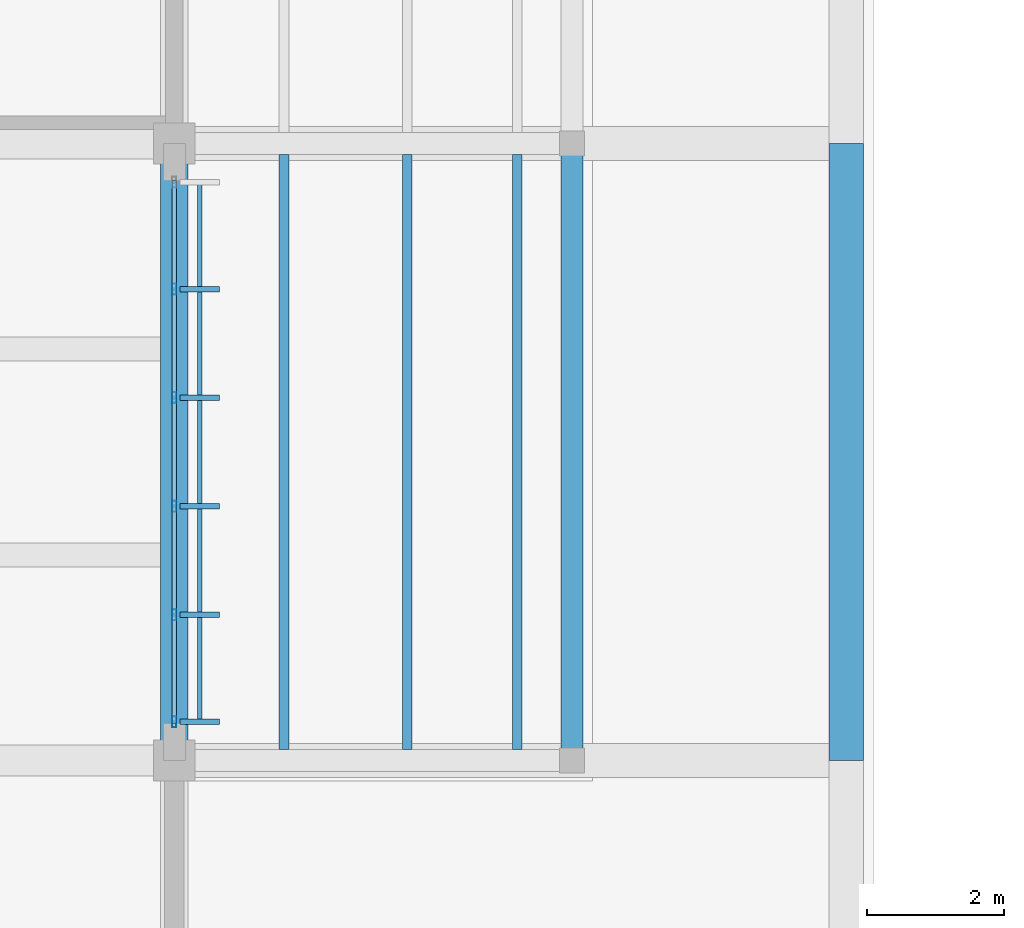
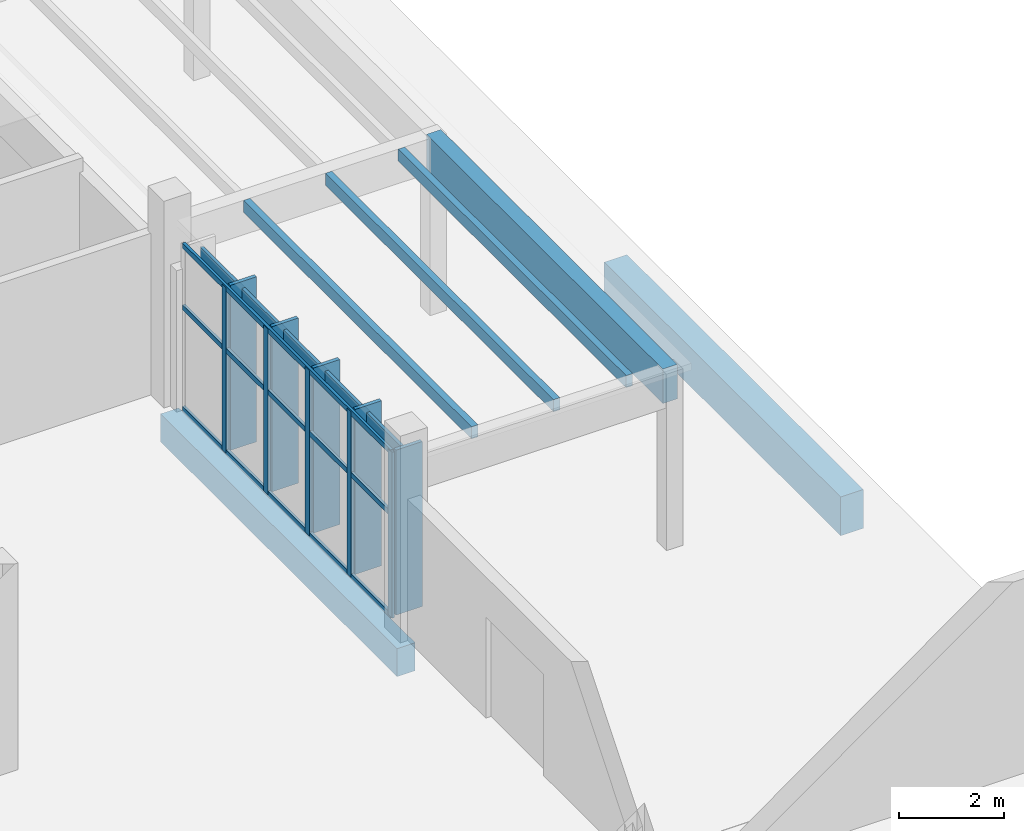
# One storey, part 88 of 151: 17 members, 3 beams, 1 element without a shape of its own.
"""IFC4 building model written with IfcOpenShell, lengths in metres."""

from ifc_helpers import new_model, si_unit, direction, frame, origin, origin_2d, place, context, subcontext, project, spatial, rectangle, hollow_rectangle, extrude, material, material_profile, profile_set, type_object, element, aggregate, save


model = new_model("IFC4")

# Units and contexts
model_context = context("Model", 3, precision=1e-05, world=origin(), true_north=direction((0.0, 1.0)))
body_context = subcontext(model_context, "Body", "Model", "MODEL_VIEW")
ifc_project = project(units=[si_unit("LENGTHUNIT", "METRE"), si_unit("AREAUNIT", "SQUARE_METRE"), si_unit("VOLUMEUNIT", "CUBIC_METRE"), si_unit("PLANEANGLEUNIT", "RADIAN"), si_unit("MASSUNIT", "GRAM", prefix="KILO")], contexts=[model_context])

# Site, building, storey
site_placement = place(None, origin())
site = spatial("IfcSite", under=ifc_project, at=site_placement, CompositionType="ELEMENT")
building_placement = place(site_placement, origin())
building = spatial("IfcBuilding", under=site, at=building_placement, Name="Chiffa Square Polytechnic", CompositionType="ELEMENT")
storey_placement = place(building_placement, origin())
storey = spatial("IfcBuildingStorey", under=building, at=storey_placement, Name="L00", CompositionType="ELEMENT", Elevation=0.0)

# Beam
ifc_material_1 = material(Name="Concrete C35/45", Category="concrete")
ifc_material_profile_1 = material_profile(ifc_material_1, rectangle(XDim=0.39990234375, YDim=0.64990234375, at=origin_2d()), Name="RC 400x650")
ifc_profile_set_1 = profile_set([ifc_material_profile_1], Name="Concrete C35/45")
beam_type_1 = type_object("IfcBeamType", Name="BM-RC-400X650", PredefinedType="BEAM", material=ifc_profile_set_1)
beam_1_placement = place(storey_placement, frame((148.199951171875, 103.800048828125, -0.675048828125), z_axis=(0.0, 1.0, 0.0), x_axis=(-1.0, 0.0, 0.0)))
element("IfcBeam", 1, at=beam_1_placement, inside=storey, type_object=beam_type_1, Name="Primary floor girder BM-V5-L00-Y-1482-1038", PredefinedType="BEAM", context=body_context, shape_type="SweptSolid", body=[
    extrude(rectangle(XDim=0.39990234375, YDim=0.64990234375, at=origin_2d()), origin(), (0.0, 0.0, 1.0), 9.0),
])

# Curtain wall, members
ifc_material_2 = material(Name="Aluminium EN AW-6060 T66 and glulam shading", Category="wood")
curtain_wall_type = type_object("IfcCurtainWallType", Name="CW-VERT-480X380", PredefinedType="USERDEFINED", material=ifc_material_2)
curtain_wall_placement = place(storey_placement, origin())
curtain_wall = element("IfcCurtainWall", 2, at=curtain_wall_placement, inside=storey, type_object=curtain_wall_type, Name="Curtain wall CW-V5-L00-190", ObjectType="CURTAIN WALL", PredefinedType="USERDEFINED")
ifc_material_3 = material(Name="Aluminium EN AW-6060 T66", Category="aluminium")
ifc_material_profile_2 = material_profile(ifc_material_3, hollow_rectangle(XDim=0.06005859375, YDim=0.159912109375, WallThickness=0.00390625, at=origin_2d()), Name="ALU 60x160x4")
ifc_profile_set_2 = profile_set([ifc_material_profile_2], Name="Aluminium EN AW-6060 T66")
member_type_1 = type_object("IfcMemberType", Name="CWM-ALU-65X150", PredefinedType="MULLION", material=ifc_profile_set_2)
member_1_placement = place(storey_placement, frame((148.199951171875, 104.364990234375, 0.0), z_axis=(0.0, 0.0, 1.0), x_axis=(1.0, 0.0, 0.0)))
member_1 = element("IfcMember", 3, at=member_1_placement, type_object=member_type_1, Name="Curtain wall mullion CW-V5-L00-190-M00", PredefinedType="MULLION", context=body_context, shape_type="SweptSolid", body=[
    extrude(hollow_rectangle(XDim=0.06005859375, YDim=0.159912109375, WallThickness=0.00390625, at=origin_2d()), origin(), (0.0, 0.0, 1.0), 3.85498046875),
])
member_2_placement = place(storey_placement, frame((148.199951171875, 105.924072265625, 0.0), z_axis=(0.0, 0.0, 1.0), x_axis=(1.0, 0.0, 0.0)))
member_2 = element("IfcMember", 4, at=member_2_placement, type_object=member_type_1, Name="Curtain wall mullion CW-V5-L00-190-M01", PredefinedType="MULLION", context=body_context, shape_type="SweptSolid", body=[
    extrude(hollow_rectangle(XDim=0.06005859375, YDim=0.159912109375, WallThickness=0.00390625, at=origin_2d()), origin(), (0.0, 0.0, 1.0), 3.85498046875),
])
member_3_placement = place(storey_placement, frame((148.199951171875, 107.508056640625, 0.0), z_axis=(0.0, 0.0, 1.0), x_axis=(1.0, 0.0, 0.0)))
member_3 = element("IfcMember", 5, at=member_3_placement, type_object=member_type_1, Name="Curtain wall mullion CW-V5-L00-190-M02", PredefinedType="MULLION", context=body_context, shape_type="SweptSolid", body=[
    extrude(hollow_rectangle(XDim=0.06005859375, YDim=0.159912109375, WallThickness=0.00390625, at=origin_2d()), origin(), (0.0, 0.0, 1.0), 3.85498046875),
])
member_4_placement = place(storey_placement, frame((148.199951171875, 109.092041015625, 0.0), z_axis=(0.0, 0.0, 1.0), x_axis=(1.0, 0.0, 0.0)))
member_4 = element("IfcMember", 6, at=member_4_placement, type_object=member_type_1, Name="Curtain wall mullion CW-V5-L00-190-M03", PredefinedType="MULLION", context=body_context, shape_type="SweptSolid", body=[
    extrude(hollow_rectangle(XDim=0.06005859375, YDim=0.159912109375, WallThickness=0.00390625, at=origin_2d()), origin(), (0.0, 0.0, 1.0), 3.85498046875),
])
member_5_placement = place(storey_placement, frame((148.199951171875, 110.676025390625, 0.0), z_axis=(0.0, 0.0, 1.0), x_axis=(1.0, 0.0, 0.0)))
member_5 = element("IfcMember", 7, at=member_5_placement, type_object=member_type_1, Name="Curtain wall mullion CW-V5-L00-190-M04", PredefinedType="MULLION", context=body_context, shape_type="SweptSolid", body=[
    extrude(hollow_rectangle(XDim=0.06005859375, YDim=0.159912109375, WallThickness=0.00390625, at=origin_2d()), origin(), (0.0, 0.0, 1.0), 3.85498046875),
])
ifc_material_4 = material(Name="Glulam GL28h", Category="wood")
ifc_material_profile_3 = material_profile(ifc_material_4, rectangle(XDim=0.080078125, YDim=0.580078125, at=origin_2d()), Name="GL28h 80x580")
ifc_profile_set_3 = profile_set([ifc_material_profile_3], Name="Glulam GL28h")
member_type_2 = type_object("IfcMemberType", Name="CWM-GL-80X580", PredefinedType="MULLION", material=ifc_profile_set_3)
member_6_placement = place(storey_placement, frame((148.572021484375, 104.364990234375, 0.010009765625), z_axis=(0.0, 0.0, 1.0), x_axis=(0.0, 1.0, 0.0)))
member_6 = element("IfcMember", 8, at=member_6_placement, type_object=member_type_2, Name="Exterior glulam solar fin CW-V5-L00-190-FN00", PredefinedType="MULLION", context=body_context, shape_type="SweptSolid", body=[
    extrude(rectangle(XDim=0.080078125, YDim=0.580078125, at=origin_2d()), origin(), (0.0, 0.0, 1.0), 3.8349609375),
])
member_7_placement = place(storey_placement, frame((148.572021484375, 105.924072265625, 0.010009765625), z_axis=(0.0, 0.0, 1.0), x_axis=(0.0, 1.0, 0.0)))
member_7 = element("IfcMember", 9, at=member_7_placement, type_object=member_type_2, Name="Exterior glulam solar fin CW-V5-L00-190-FN01", PredefinedType="MULLION", context=body_context, shape_type="SweptSolid", body=[
    extrude(rectangle(XDim=0.080078125, YDim=0.580078125, at=origin_2d()), origin(), (0.0, 0.0, 1.0), 3.8349609375),
])
member_8_placement = place(storey_placement, frame((148.572021484375, 107.508056640625, 0.010009765625), z_axis=(0.0, 0.0, 1.0), x_axis=(0.0, 1.0, 0.0)))
member_8 = element("IfcMember", 10, at=member_8_placement, type_object=member_type_2, Name="Exterior glulam solar fin CW-V5-L00-190-FN02", PredefinedType="MULLION", context=body_context, shape_type="SweptSolid", body=[
    extrude(rectangle(XDim=0.080078125, YDim=0.580078125, at=origin_2d()), origin(), (0.0, 0.0, 1.0), 3.8349609375),
])
member_9_placement = place(storey_placement, frame((148.572021484375, 109.092041015625, 0.010009765625), z_axis=(0.0, 0.0, 1.0), x_axis=(0.0, 1.0, 0.0)))
member_9 = element("IfcMember", 11, at=member_9_placement, type_object=member_type_2, Name="Exterior glulam solar fin CW-V5-L00-190-FN03", PredefinedType="MULLION", context=body_context, shape_type="SweptSolid", body=[
    extrude(rectangle(XDim=0.080078125, YDim=0.580078125, at=origin_2d()), origin(), (0.0, 0.0, 1.0), 3.8349609375),
])
member_10_placement = place(storey_placement, frame((148.572021484375, 110.676025390625, 0.010009765625), z_axis=(0.0, 0.0, 1.0), x_axis=(0.0, 1.0, 0.0)))
member_10 = element("IfcMember", 12, at=member_10_placement, type_object=member_type_2, Name="Exterior glulam solar fin CW-V5-L00-190-FN04", PredefinedType="MULLION", context=body_context, shape_type="SweptSolid", body=[
    extrude(rectangle(XDim=0.080078125, YDim=0.580078125, at=origin_2d()), origin(), (0.0, 0.0, 1.0), 3.8349609375),
])
ifc_material_profile_4 = material_profile(ifc_material_3, hollow_rectangle(XDim=0.06005859375, YDim=0.1201171875, WallThickness=0.00390625, at=origin_2d()), Name="ALU 60x120x4")
ifc_profile_set_4 = profile_set([ifc_material_profile_4], Name="Aluminium EN AW-6060 T66")
member_type_3 = type_object("IfcMemberType", Name="CWT-ALU-65X120", PredefinedType="USERDEFINED", material=ifc_profile_set_4)
member_11_placement = place(storey_placement, frame((148.199951171875, 104.337890625, 0.030029296875), z_axis=(0.0, 1.0, 0.0), x_axis=(-1.0, 0.0, 0.0)))
member_11 = element("IfcMember", 13, at=member_11_placement, type_object=member_type_3, Name="Curtain wall transom CW-V5-L00-190-T01", ObjectType="TRANSOM", PredefinedType="USERDEFINED", context=body_context, shape_type="SweptSolid", body=[
    extrude(hollow_rectangle(XDim=0.06005859375, YDim=0.1201171875, WallThickness=0.00390625, at=origin_2d()), origin(), (0.0, 0.0, 1.0), 7.924072265625),
])
member_12_placement = place(storey_placement, frame((148.199951171875, 104.337890625, 2.389892578125), z_axis=(0.0, 1.0, 0.0), x_axis=(-1.0, 0.0, 0.0)))
member_12 = element("IfcMember", 14, at=member_12_placement, type_object=member_type_3, Name="Curtain wall transom CW-V5-L00-190-T02", ObjectType="TRANSOM", PredefinedType="USERDEFINED", context=body_context, shape_type="SweptSolid", body=[
    extrude(hollow_rectangle(XDim=0.06005859375, YDim=0.1201171875, WallThickness=0.00390625, at=origin_2d()), origin(), (0.0, 0.0, 1.0), 7.924072265625),
])
member_13_placement = place(storey_placement, frame((148.199951171875, 104.337890625, 3.824951171875), z_axis=(0.0, 1.0, 0.0), x_axis=(-1.0, 0.0, 0.0)))
member_13 = element("IfcMember", 15, at=member_13_placement, type_object=member_type_3, Name="Curtain wall transom CW-V5-L00-190-T03", ObjectType="TRANSOM", PredefinedType="USERDEFINED", context=body_context, shape_type="SweptSolid", body=[
    extrude(hollow_rectangle(XDim=0.06005859375, YDim=0.1201171875, WallThickness=0.00390625, at=origin_2d()), origin(), (0.0, 0.0, 1.0), 7.924072265625),
])
ifc_material_profile_5 = material_profile(ifc_material_4, rectangle(XDim=0.070068359375, YDim=0.419921875, at=origin_2d()), Name="GL28h 70x420")
ifc_profile_set_5 = profile_set([ifc_material_profile_5], Name="Glulam GL28h")
member_type_4 = type_object("IfcMemberType", Name="CWT-GL-70X420", PredefinedType="USERDEFINED", material=ifc_profile_set_5)
member_14_placement = place(storey_placement, frame((148.572021484375, 104.364990234375, 3.47509765625), z_axis=(0.0, 1.0, 0.0), x_axis=(-1.0, 0.0, 0.0)))
member_14 = element("IfcMember", 16, at=member_14_placement, type_object=member_type_4, Name="Exterior glulam brise-soleil CW-V5-L00-190-BS01", ObjectType="TRANSOM", PredefinedType="USERDEFINED", context=body_context, shape_type="SweptSolid", body=[
    extrude(rectangle(XDim=0.070068359375, YDim=0.419921875, at=origin_2d()), origin(), (0.0, 0.0, 1.0), 7.8701171875),
])
aggregate(curtain_wall, [member_1, member_6, member_2, member_7, member_3, member_8, member_4, member_9, member_5, member_10, member_11, member_12, member_13, member_14])

# Beam
ifc_material_profile_6 = material_profile(ifc_material_1, rectangle(XDim=0.5, YDim=0.89990234375, at=origin_2d()), Name="RC 500x900")
ifc_profile_set_6 = profile_set([ifc_material_profile_6], Name="Concrete C35/45")
beam_type_2 = type_object("IfcBeamType", Name="GB-RC-500X900", PredefinedType="BEAM", material=ifc_profile_set_6)
beam_2_placement = place(storey_placement, frame((158.0, 103.800048828125, -0.68994140625), z_axis=(0.0, 1.0, 0.0), x_axis=(-1.0, 0.0, 0.0)))
element("IfcBeam", 17, at=beam_2_placement, inside=storey, type_object=beam_type_2, Name="Ramp apron edge beam GB-RMPAPR-EDGE-02", PredefinedType="BEAM", context=body_context, shape_type="SweptSolid", body=[
    extrude(rectangle(XDim=0.5, YDim=0.89990234375, at=origin_2d()), origin(), (0.0, 0.0, 1.0), 9.0),
])

# Members
ifc_material_profile_7 = material_profile(ifc_material_4, rectangle(XDim=0.139892578125, YDim=0.280029296875, at=origin_2d()), Name="GL28h 140x280")
ifc_profile_set_7 = profile_set([ifc_material_profile_7], Name="Glulam GL28h")
member_type_5 = type_object("IfcMemberType", Name="MEM-RFT-GL140", PredefinedType="RAFTER", material=ifc_profile_set_7)
for number, where, z_axis, x_axis, name in (
    (18, (149.800048828125, 103.9599609375, 3.9599609375), (0.0, 1.0, 0.0), (-1.0, 0.0, 0.0), "NE entrance canopy timber rafter RF-NEC-01-1498"),
    (19, (151.60009765625, 103.9599609375, 3.9599609375), (0.0, 1.0, 0.0), (-1.0, 0.0, 0.0), "NE entrance canopy timber rafter RF-NEC-01-1516"),
    (20, (153.199951171875, 103.9599609375, 3.9599609375), (0.0, 1.0, 0.0), (-1.0, 0.0, 0.0), "NE entrance canopy timber rafter RF-NEC-01-1532"),
):
    element("IfcMember", number, at=place(storey_placement, frame(where, z_axis=z_axis, x_axis=x_axis)), inside=storey, type_object=member_type_5, Name=name, PredefinedType="RAFTER", context=body_context, shape_type="SweptSolid", body=[
        extrude(rectangle(XDim=0.139892578125, YDim=0.280029296875, at=origin_2d()), origin(), (0.0, 0.0, 1.0), 8.679931640625),
    ])

# Beam
ifc_material_profile_8 = material_profile(ifc_material_4, rectangle(XDim=0.320068359375, YDim=0.800048828125, at=origin_2d()), Name="GL28h 320x800")
ifc_profile_set_8 = profile_set([ifc_material_profile_8], Name="Glulam GL28h")
beam_type_3 = type_object("IfcBeamType", Name="RB-GL-320X800", PredefinedType="SPANDREL", material=ifc_profile_set_8)
beam_3_placement = place(storey_placement, frame((154.0, 103.800048828125, 3.699951171875), z_axis=(0.0, 1.0, 0.0), x_axis=(-1.0, 0.0, 0.0)))
element("IfcBeam", 21, at=beam_3_placement, inside=storey, type_object=beam_type_3, Name="NE entrance canopy edge beam RB-NEC-EDGE-01", PredefinedType="SPANDREL", context=body_context, shape_type="SweptSolid", body=[
    extrude(rectangle(XDim=0.320068359375, YDim=0.800048828125, at=origin_2d()), origin(), (0.0, 0.0, 1.0), 9.0),
])

save(model, "model.ifc")
